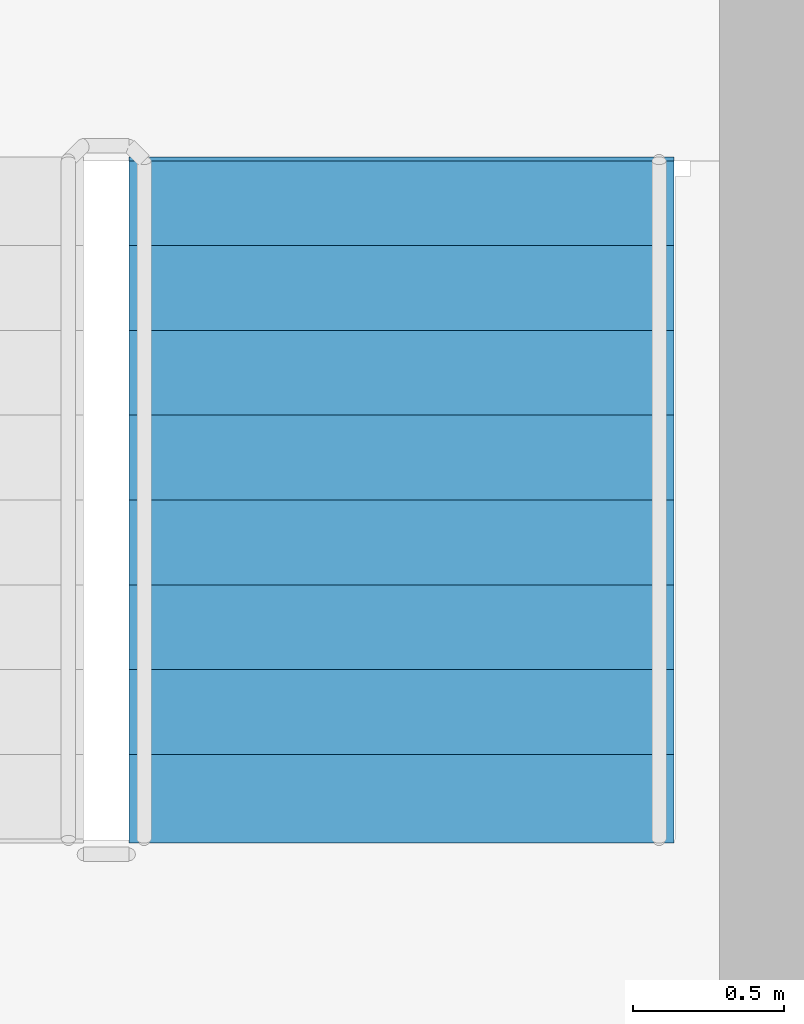
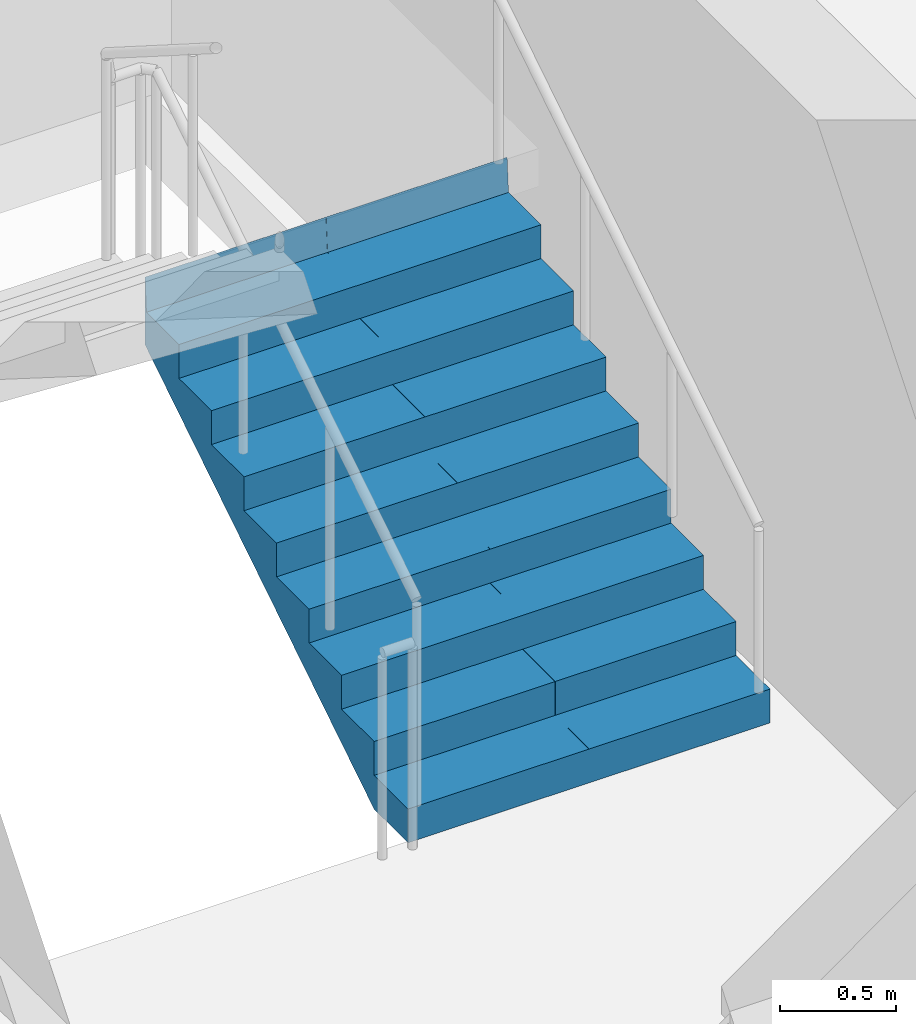
# One storey, part 11 of 13: 1 stair flight, 1 element without a shape of its own.
"""IFC4 building model written with IfcOpenShell, lengths in metres."""

import ifcopenshell
import ifcopenshell.guid

model = None  # the IFC model being written
_history = None  # IfcOwnerHistory: only IFC2X3 demands one
_inside = {}  # id of a spatial element -> (the spatial element, [elements in it])
_under = {}  # id of a project, library or spatial element -> (it, [spatial elements below it])
_declared = {}  # id of a project -> (the project, [libraries it declares])
_typed = {}  # id of a type object -> (the type object, [elements of that type])
_made_of = {}  # id of a material, layer set ... -> (it, [elements and type objects made of it])


def new_model(schema):
    """Start an empty IFC model of exactly this schema.

    Asked for "IFC4X3", IfcOpenShell would pick the latest addendum, in which some entities
    have other attributes; the version numbers below select the first issue.
    IFC2X3 requires an IfcOwnerHistory on every rooted entity: one is made here for all.
    """
    global model, _history
    if schema == "IFC4X3":
        model = ifcopenshell.file(schema_version=(4, 3, 0, 0))
    else:
        model = ifcopenshell.file(schema=schema)
    _inside.clear()
    _under.clear()
    _declared.clear()
    _typed.clear()
    _made_of.clear()
    _history = None
    if model.schema == "IFC2X3":
        org = make("IfcOrganization", Name="unknown")
        user = make(
            "IfcPersonAndOrganization",
            ThePerson=make("IfcPerson", FamilyName="unknown"),
            TheOrganization=org,
        )
        app = make(
            "IfcApplication",
            ApplicationDeveloper=org,
            Version="unknown",
            ApplicationFullName="unknown",
            ApplicationIdentifier="unknown",
        )
        _history = make(
            "IfcOwnerHistory",
            OwningUser=user,
            OwningApplication=app,
            ChangeAction="ADDED",
            CreationDate=0,
        )
    return model


def make(cls, **values):
    """One entity of the class cls with the attributes given. An attribute that is None is left unset."""
    return model.create_entity(
        cls, **{name: value for name, value in values.items() if value is not None}
    )


def rooted(cls, **values):
    """An entity with a GlobalId (a new one), such as an element, a storey or a relation."""
    return make(cls, GlobalId=ifcopenshell.guid.new(), OwnerHistory=_history, **values)


def si_unit(unit_type, name, prefix=None):
    """IfcSIUnit, for example si_unit("LENGTHUNIT", "METRE", prefix="MILLI")."""
    return make("IfcSIUnit", UnitType=unit_type, Prefix=prefix, Name=name)


def assignment(units):
    """IfcUnitAssignment: the units of a project."""
    return None if units is None else make("IfcUnitAssignment", Units=units)


def point(xyz):
    """IfcCartesianPoint."""
    return None if xyz is None else make("IfcCartesianPoint", Coordinates=xyz)


def direction(xyz):
    """IfcDirection."""
    return None if xyz is None else make("IfcDirection", DirectionRatios=xyz)


def frame(location, z_axis=None, x_axis=None):
    """IfcAxis2Placement3D, a coordinate frame: its origin and axes. An axis left out is left unset."""
    return make(
        "IfcAxis2Placement3D",
        Location=point(location),
        Axis=direction(z_axis),
        RefDirection=direction(x_axis),
    )


def origin():
    """The frame at (0, 0, 0) with its axes left unset."""
    return frame((0.0, 0.0, 0.0))


def place(relative_to, where):
    """IfcLocalPlacement: puts the frame where relative to a parent placement (None: the world)."""
    return make(
        "IfcLocalPlacement", PlacementRelTo=relative_to, RelativePlacement=where
    )


def context(
    kind, dimensions, precision=None, world=None, true_north=None, identifier=None
):
    """IfcGeometricRepresentationContext, for example the 3D "Model" context."""
    return make(
        "IfcGeometricRepresentationContext",
        ContextIdentifier=identifier,
        ContextType=kind,
        CoordinateSpaceDimension=dimensions,
        Precision=precision,
        WorldCoordinateSystem=world,
        TrueNorth=true_north,
    )


def subcontext(parent, identifier, kind, view, scale=None):
    """IfcGeometricRepresentationSubContext, for example "Body" below "Model"."""
    return make(
        "IfcGeometricRepresentationSubContext",
        ContextIdentifier=identifier,
        ContextType=kind,
        ParentContext=parent,
        TargetScale=scale,
        TargetView=view,
    )


def project(units=None, contexts=None):
    """IfcProject with its units and contexts."""
    return rooted(
        "IfcProject",
        Name="project",
        RepresentationContexts=contexts,
        UnitsInContext=assignment(units),
    )


def spatial(cls, under=None, at=None, **own):
    """A site, building, storey or space (cls), placed at a placement, below another one or the project."""
    s = rooted(cls, ObjectPlacement=at, **own)
    if under is not None:
        _under.setdefault(under.id(), (under, []))[1].append(s)
    return s


def polyline(points):
    """IfcPolyline through the points."""
    return make("IfcPolyline", Points=[point(p) for p in points])


def outline(outer, holes=None, kind="AREA"):
    """IfcArbitraryClosedProfileDef: a profile drawn as a closed curve; with holes, ...WithVoids."""
    if holes is None:
        return make("IfcArbitraryClosedProfileDef", ProfileType=kind, OuterCurve=outer)
    return make(
        "IfcArbitraryProfileDefWithVoids",
        ProfileType=kind,
        OuterCurve=outer,
        InnerCurves=holes,
    )


def extrude(swept, where, along, depth):
    """IfcExtrudedAreaSolid: the profile swept, set in the frame where, extruded along a direction by depth."""
    return make(
        "IfcExtrudedAreaSolid",
        SweptArea=swept,
        Position=where,
        ExtrudedDirection=direction(along),
        Depth=depth,
    )


def shape(context_of_items, identifier, shape_type, items):
    """IfcShapeRepresentation: the items that make up one representation, for example the "Body"."""
    return make(
        "IfcShapeRepresentation",
        ContextOfItems=context_of_items,
        RepresentationIdentifier=identifier,
        RepresentationType=shape_type,
        Items=items,
    )


def material(Name=None, Category=None):
    """IfcMaterial."""
    return make("IfcMaterial", Name=Name, Category=Category)


def made_of(thing, what):
    """Note that an element or type object is made of a material, layer set ...; save() writes the relation."""
    if what is not None:
        _made_of.setdefault(what.id(), (what, []))[1].append(thing)
    return thing


def type_object(cls, material=None, **own):
    """A type object (cls), such as IfcWallType, which elements share."""
    return made_of(rooted(cls, **own), material)


def element(
    cls,
    number,
    at=None,
    inside=None,
    cuts=None,
    type_object=None,
    material=None,
    context=None,
    identifier="Body",
    shape_type=None,
    held_by="IfcProductDefinitionShape",
    body=None,
    shapes=None,
    **own,
):
    """One element of the class cls, such as IfcWall. Its Tag is "e" and its number.

    at: its placement. inside: the storey or other place that contains it. cuts: it is an
    opening in that element (IfcRelVoidsElement). A single representation is given by context,
    identifier, shape_type and body (its items); several are given by shapes. held_by: the class
    of the entity that holds the representations. save() writes the other relations.
    """
    e = rooted(cls, Tag="e%d" % number, ObjectPlacement=at, **own)
    if body is not None:
        shapes = [shape(context, identifier, shape_type, body)]
    if shapes is not None:
        e.Representation = make(held_by, Representations=shapes)
    if inside is not None:
        _inside.setdefault(inside.id(), (inside, []))[1].append(e)
    if cuts is not None:
        rooted(
            "IfcRelVoidsElement", RelatingBuildingElement=cuts, RelatedOpeningElement=e
        )
    if type_object is not None:
        _typed.setdefault(type_object.id(), (type_object, []))[1].append(e)
    return made_of(e, material)


def aggregate(whole, parts):
    """IfcRelAggregates: a whole, such as a stair, and the parts it consists of."""
    return rooted("IfcRelAggregates", RelatingObject=whole, RelatedObjects=parts)


def save(model, path):
    """Write the relations noted so far, then the file.

    IfcRelAggregates (storeys below a building ...), IfcRelContainedInSpatialStructure (elements
    in a storey), IfcRelDefinesByType, IfcRelAssociatesMaterial and IfcRelDeclares: one each for
    every whole, place, type object, material and project.
    """
    for whole, parts in _under.values():
        aggregate(whole, parts)
    for where, things in _inside.values():
        rooted(
            "IfcRelContainedInSpatialStructure",
            RelatedElements=things,
            RelatingStructure=where,
        )
    for kind, things in _typed.values():
        rooted("IfcRelDefinesByType", RelatedObjects=things, RelatingType=kind)
    for what, things in _made_of.values():
        rooted("IfcRelAssociatesMaterial", RelatedObjects=things, RelatingMaterial=what)
    for by, libraries in _declared.values():
        rooted("IfcRelDeclares", RelatingContext=by, RelatedDefinitions=libraries)
    model.write(path)


model = new_model("IFC4")

# Units and contexts
model_context = context("Model", 3, precision=1e-05, world=origin(), true_north=direction((0.0, 1.0)))
body_context = subcontext(model_context, "Body", "Model", "MODEL_VIEW")
ifc_project = project(units=[si_unit("LENGTHUNIT", "METRE"), si_unit("AREAUNIT", "SQUARE_METRE"), si_unit("VOLUMEUNIT", "CUBIC_METRE"), si_unit("PLANEANGLEUNIT", "RADIAN"), si_unit("MASSUNIT", "GRAM", prefix="KILO")], contexts=[model_context])

# Site, building, storey
site_placement = place(None, origin())
site = spatial("IfcSite", under=ifc_project, at=site_placement, CompositionType="ELEMENT")
building_placement = place(site_placement, origin())
building = spatial("IfcBuilding", under=site, at=building_placement, Name="Wharfspan Tower", CompositionType="ELEMENT")
storey_placement = place(building_placement, frame((0.0, 0.0, 264.300049)))
storey = spatial("IfcBuildingStorey", under=building, at=storey_placement, Name="L67", CompositionType="ELEMENT", Elevation=264.300049)

# Stair, stair flight
ifc_material = material(Name="Concrete C40/50", Category="concrete")
stair_type = type_object("IfcStairType", Name="Half-turn stair 18 risers 178 mm", PredefinedType="HALF_TURN_STAIR", material=ifc_material)
stair_placement = place(storey_placement, origin())
stair = element("IfcStair", 1, at=stair_placement, inside=storey, type_object=stair_type, Name="L67 stair ST2", PredefinedType="HALF_TURN_STAIR")
stair_flight_type = type_object("IfcStairFlightType", Name="Stair flight 18 risers 178 mm", PredefinedType="STRAIGHT", material=ifc_material)
stair_flight_placement = place(storey_placement, frame((49.5, 42.0, 0.0), z_axis=(0.0, 0.0, 1.0), x_axis=(0.0, 1.0, 0.0)))
stair_flight = element("IfcStairFlight", 2, at=stair_flight_placement, type_object=stair_flight_type, Name="ST2 flight 1", NumberOfRisers=9, NumberOfTreads=8, PredefinedType="STRAIGHT", RiserHeight=0.177778, TreadLength=0.28, context=body_context, shape_type="SweptSolid", body=[
    extrude(outline(polyline([(-0.011963, 0.0), (-0.011963, 0.177734), (0.0, 0.177734), (0.280029, 0.177734), (0.280029, 0.355469), (0.560059, 0.355469), (0.560059, 0.533447), (0.840088, 0.533447), (0.840088, 0.711182), (1.120117, 0.711182), (1.120117, 0.888916), (1.399902, 0.888916), (1.399902, 1.06665), (1.679932, 1.06665), (1.679932, 1.244385), (1.959961, 1.244385), (1.959961, 1.422119), (2.23999, 1.422119), (2.251953, 1.600098), (2.251953, 1.244629), (0.279785, 0.0), (-0.011963, 0.0)])), frame((0.0, 0.899902, 0.0), z_axis=(0.0, -1.0, 0.0), x_axis=(1.0, 0.0, 0.0)), (0.0, 0.0, 1.0), 0.899414),
    extrude(outline(polyline([(-0.011963, 0.0), (-0.011963, 0.177734), (0.0, 0.177734), (0.280029, 0.177734), (0.280029, 0.355469), (0.560059, 0.355469), (0.560059, 0.533447), (0.840088, 0.533447), (0.840088, 0.711182), (1.120117, 0.711182), (1.120117, 0.888916), (1.399902, 0.888916), (1.399902, 1.06665), (1.679932, 1.06665), (1.679932, 1.244385), (1.959961, 1.244385), (1.959961, 1.422119), (2.23999, 1.422119), (2.251953, 1.600098), (2.251953, 1.244629), (0.279785, 0.0), (-0.011963, 0.0)])), frame((0.0, -0.000488, 0.0), z_axis=(0.0, -1.0, 0.0), x_axis=(1.0, 0.0, 0.0)), (0.0, 0.0, 1.0), 0.899414),
])
aggregate(stair, [stair_flight])

save(model, "model.ifc")
